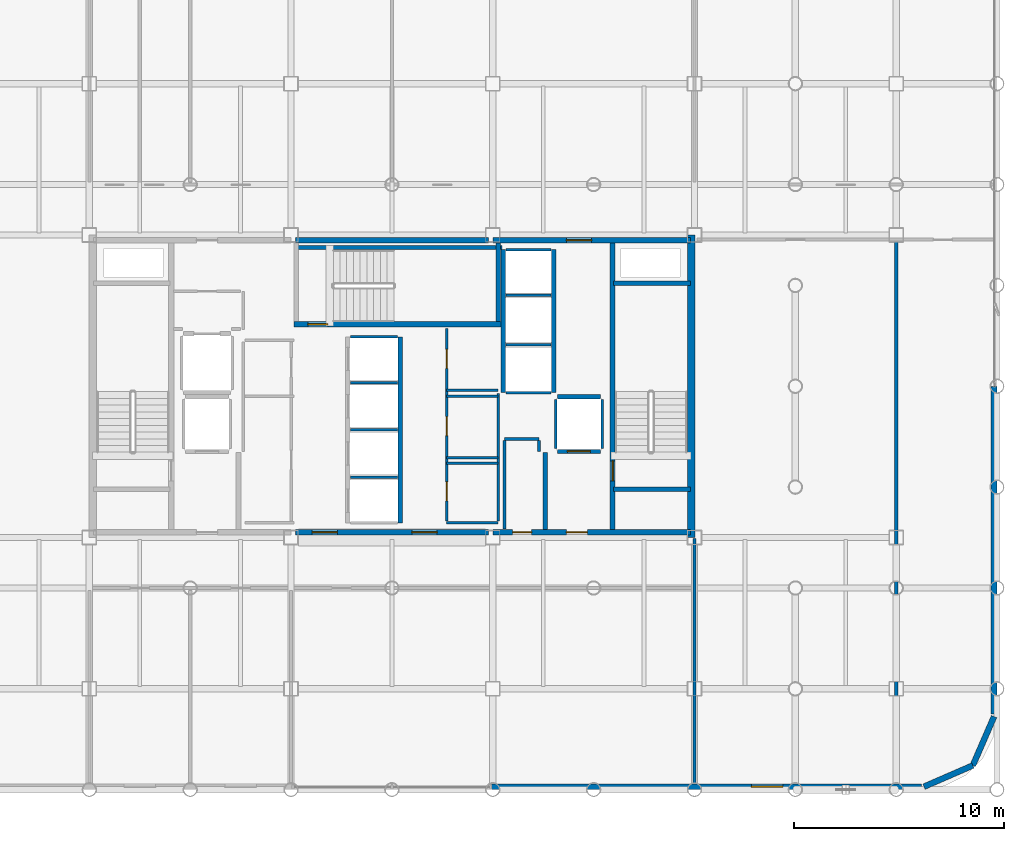
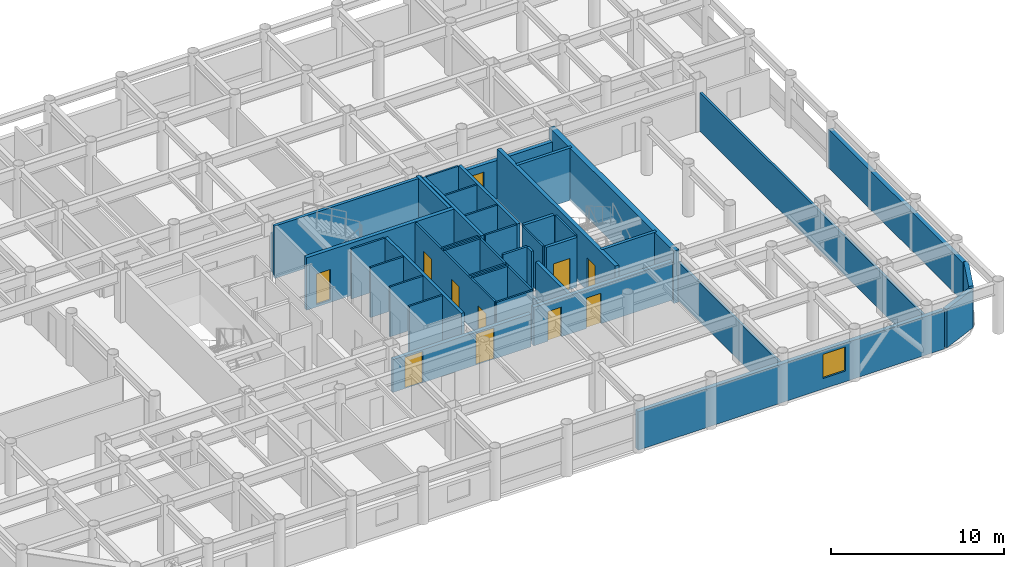
# One storey, part 17 of 19: 43 walls, 11 doors, 1 window, 12 openings.
"""IFC4 building model written with IfcOpenShell, lengths in metres."""

from ifc_helpers import new_model, si_unit, direction, frame, frame_2d, origin, place, context, subcontext, project, spatial, rectangle, extrude, material, layer, layer_set, type_object, element, fill, save


model = new_model("IFC4")

# Units and contexts
model_context = context("Model", 3, precision=1e-05, world=origin(), true_north=direction((0.0, 1.0)))
body_context = subcontext(model_context, "Body", "Model", "MODEL_VIEW")
ifc_project = project(units=[si_unit("LENGTHUNIT", "METRE"), si_unit("AREAUNIT", "SQUARE_METRE"), si_unit("VOLUMEUNIT", "CUBIC_METRE"), si_unit("PLANEANGLEUNIT", "RADIAN"), si_unit("MASSUNIT", "GRAM", prefix="KILO")], contexts=[model_context])

# Site, building, storey
site_placement = place(None, origin())
site = spatial("IfcSite", under=ifc_project, at=site_placement, CompositionType="ELEMENT")
building_placement = place(site_placement, origin())
building = spatial("IfcBuilding", under=site, at=building_placement, Name="Kallvorn Hotel Tower", CompositionType="ELEMENT")
storey_placement = place(building_placement, frame((0.0, 0.0, 147.0)))
storey = spatial("IfcBuildingStorey", under=building, at=storey_placement, Name="L36", CompositionType="ELEMENT", Elevation=147.0)

# Walls
ifc_material_1 = material(Name="Concrete C50/60", Category="concrete")
ifc_layer_1 = layer(ifc_material_1, 0.35009765625)
ifc_layer_set_1 = layer_set([ifc_layer_1], Name="WL_CORE_350")
wall_type_1 = type_object("IfcWallType", Name="WL_CORE_350", PredefinedType="SHEAR", material=ifc_layer_set_1)
wall_1_placement = place(storey_placement, frame((14.239990234375, -7.199951171875, -0.179931640625), z_axis=(0.0, 0.0, 1.0), x_axis=(0.0, 1.0, 0.0)))
element("IfcWall", 1, at=wall_1_placement, inside=storey, type_object=wall_type_1, Name="L36 Core East Shear Wall", PredefinedType="SHEAR", context=body_context, shape_type="SweptSolid", body=[
    extrude(rectangle(XDim=14.39990234375, YDim=0.35009765625, at=frame_2d((7.199951171875, 0.0))), origin(), (0.0, 0.0, 1.0), 3.699951171875),
])
ifc_material_2 = material(Name="Precast basalt-clad insulated concrete wall C40/50", Category="masonry")
ifc_layer_2 = layer(ifc_material_2, 0.280029296875)
ifc_layer_set_2 = layer_set([ifc_layer_2], Name="WL_EXT_LOGGIA_280")
wall_type_2 = type_object("IfcWallType", Name="WL_EXT_LOGGIA_280", PredefinedType="SOLIDWALL", material=ifc_layer_set_2)
wall_2_placement = place(storey_placement, frame((25.32080078125, -19.057861328125, 0.0), z_axis=(0.0, 0.0, 1.0), x_axis=(0.917060872934, 0.398747232384, 0.0)))
element("IfcWall", 2, at=wall_2_placement, inside=storey, type_object=wall_type_2, Name="L36 Rounded Corner Exterior Wall SE1", PredefinedType="SOLIDWALL", context=body_context, shape_type="SweptSolid", body=[
    extrude(rectangle(XDim=2.5361328125, YDim=0.280029296875, at=frame_2d((1.26806640625, 0.0))), origin(), (0.0, 0.0, 1.0), 2.719970703125),
])
wall_3_placement = place(storey_placement, frame((27.646484375, -18.046630859375, 0.0), z_axis=(0.0, 0.0, 1.0), x_axis=(0.398792985289, 0.917040977756, 0.0)))
element("IfcWall", 3, at=wall_3_placement, inside=storey, type_object=wall_type_2, Name="L36 Rounded Corner Exterior Wall SE2", PredefinedType="SOLIDWALL", context=body_context, shape_type="SweptSolid", body=[
    extrude(rectangle(XDim=2.536376953125, YDim=0.280029296875, at=frame_2d((1.26806640625, 0.0))), origin(), (0.0, 0.0, 1.0), 2.8701171875),
])

# Wall, opening, window
wall_4_placement = place(storey_placement, frame((4.75, -19.06005859375, 0.0), z_axis=(0.0, 0.0, 1.0), x_axis=(1.0, 0.0, 0.0)))
wall_4 = element("IfcWall", 4, at=wall_4_placement, inside=storey, type_object=wall_type_2, Name="L36 Exterior Envelope Wall EW-L36-SE", PredefinedType="SOLIDWALL", context=body_context, shape_type="SweptSolid", body=[
    extrude(rectangle(XDim=20.449951171875, YDim=0.280029296875, at=frame_2d((10.22509765625, 0.0))), origin(), (0.0, 0.0, 1.0), 2.719970703125),
])
opening_1_placement = place(wall_4_placement, frame((12.360107421875, 0.0, 0.75)))
opening_1 = element("IfcOpeningElement", 5, at=opening_1_placement, cuts=wall_4, Name="Opening W05", PredefinedType="OPENING", context=body_context, shape_type="SweptSolid", body=[
    extrude(rectangle(XDim=1.5, YDim=1.699951171875, at=frame_2d((0.75, 0.85009765625))), frame((0.0, 0.155029296875, 0.0), z_axis=(0.0, -1.0, 0.0), x_axis=(1.0, 0.0, 0.0)), (0.0, 0.0, 1.0), 0.31005859375),
])
ifc_material_3 = material(Name="Double-glazed low-e solar-control dark glass", Category="glass")
window_type = type_object("IfcWindowType", Name="WN_HTL_1500x1700", PartitioningType="SINGLE_PANEL", PredefinedType="WINDOW", material=ifc_material_3)
window_placement = place(opening_1_placement, origin())
window = element("IfcWindow", 6, at=window_placement, inside=storey, type_object=window_type, Name="L36 Guestroom Exterior Window 05", OverallHeight=1.699951171875, OverallWidth=1.5, PartitioningType="SINGLE_PANEL", PredefinedType="WINDOW", context=body_context, shape_type="SweptSolid", body=[
    extrude(rectangle(XDim=1.5, YDim=1.699951171875, at=frame_2d((0.75, 0.85009765625))), frame((0.0, 0.030029296875, 0.0), z_axis=(0.0, -1.0, 0.0), x_axis=(1.0, 0.0, 0.0)), (0.0, 0.0, 1.0), 0.06005859375),
])
fill(opening_1, window)

# Walls
wall_5_placement = place(storey_placement, frame((28.659912109375, -15.60009765625, 0.0), z_axis=(0.0, 0.0, 1.0), x_axis=(0.0, 1.0, 0.0)))
element("IfcWall", 7, at=wall_5_placement, inside=storey, type_object=wall_type_2, Name="L36 Exterior Envelope Wall EW-L36-ES", PredefinedType="SOLIDWALL", context=body_context, shape_type="SweptSolid", body=[
    extrude(rectangle(XDim=15.580078125, YDim=0.280029296875, at=frame_2d((7.7900390625, 0.0))), origin(), (0.0, 0.0, 1.0), 2.719970703125),
])
ifc_material_4 = material(Name="Concrete C40/50", Category="concrete")
ifc_layer_3 = layer(ifc_material_4, 0.219970703125)
ifc_layer_set_3 = layer_set([ifc_layer_3], Name="WL_FFL_220")
wall_type_3 = type_object("IfcWallType", Name="WL_FFL_220", PredefinedType="SOLIDWALL", material=ifc_layer_set_3)
wall_6_placement = place(storey_placement, frame((7.300048828125, -6.820068359375, 0.0), z_axis=(0.0, 0.0, 1.0), x_axis=(0.0, 1.0, 0.0)))
element("IfcWall", 8, at=wall_6_placement, inside=storey, type_object=wall_type_3, Name="L36 Firefighting Lobby East Divider Wall", PredefinedType="SOLIDWALL", context=body_context, shape_type="SweptSolid", body=[
    extrude(rectangle(XDim=3.670166015625, YDim=0.219970703125, at=frame_2d((1.8349609375, 0.0))), origin(), (0.0, 0.0, 1.0), 2.719970703125),
])
ifc_material_5 = material(Name="Concrete C40/50", Category="concrete")
ifc_layer_4 = layer(ifc_material_5, 0.199951171875)
ifc_layer_set_4 = layer_set([ifc_layer_4], Name="WL_HOIST_200")
wall_type_4 = type_object("IfcWallType", Name="WL_HOIST_200", PredefinedType="SOLIDWALL", material=ifc_layer_set_4)
for number, where, z_axis, x_axis, name in (
    (9, (10.550048828125, -4.89990234375, -0.179931640625), (0.0, 0.0, 1.0), (1.0, 0.0, 0.0), "L36 Stair ST2 South Wall"),
    (10, (10.550048828125, 4.89990234375, -0.179931640625), (0.0, 0.0, 1.0), (1.0, 0.0, 0.0), "L36 Stair ST2 North Wall"),
):
    element("IfcWall", number, at=place(storey_placement, frame(where, z_axis=z_axis, x_axis=x_axis)), inside=storey, type_object=wall_type_4, Name=name, PredefinedType="SOLIDWALL", context=body_context, shape_type="SweptSolid", body=[
        extrude(rectangle(XDim=3.64990234375, YDim=0.199951171875, at=frame_2d((1.824951171875, 0.0))), origin(), (0.0, 0.0, 1.0), 3.699951171875),
    ])
wall_7_placement = place(storey_placement, frame((-4.64990234375, 6.610107421875, -0.179931640625), z_axis=(0.0, 0.0, 1.0), x_axis=(1.0, 0.0, 0.0)))
element("IfcWall", 11, at=wall_7_placement, inside=storey, type_object=wall_type_4, Name="L36 Stair ST3 Shaft North Wall", PredefinedType="SOLIDWALL", context=body_context, shape_type="SweptSolid", body=[
    extrude(rectangle(XDim=9.89990234375, YDim=0.199951171875, at=frame_2d((4.949951171875, 0.0))), origin(), (0.0, 0.0, 1.0), 3.699951171875),
])
wall_8_placement = place(storey_placement, frame((5.06005859375, 3.080078125, -0.179931640625), z_axis=(0.0, 0.0, 1.0), x_axis=(0.0, 1.0, 0.0)))
element("IfcWall", 12, at=wall_8_placement, inside=storey, type_object=wall_type_4, Name="L36 Stair ST3 East Wall", PredefinedType="SOLIDWALL", context=body_context, shape_type="SweptSolid", body=[
    extrude(rectangle(XDim=3.739990234375, YDim=0.199951171875, at=frame_2d((1.8701171875, 0.0))), origin(), (0.0, 0.0, 1.0), 3.699951171875),
])
wall_9_placement = place(storey_placement, frame((0.39990234375, -6.5, 0.0), z_axis=(0.0, 0.0, 1.0), x_axis=(0.0, 1.0, 0.0)))
element("IfcWall", 13, at=wall_9_placement, inside=storey, type_object=wall_type_4, Name="L36 Lift Bank B2 Rear Shaft Wall", PredefinedType="SOLIDWALL", context=body_context, shape_type="SweptSolid", body=[
    extrude(rectangle(XDim=8.85009765625, YDim=0.199951171875, at=frame_2d((4.425048828125, 0.0))), origin(), (0.0, 0.0, 1.0), 3.52001953125),
])
for number, where, z_axis, x_axis, name in (
    (14, (7.699951171875, -0.300048828125, 0.0), (0.0, 0.0, 1.0), (0.0, 1.0, 0.0), "L36 Lift Bank OBS Landing Wall"),
    (15, (5.300048828125, -0.300048828125, 0.0), (0.0, 0.0, 1.0), (0.0, 1.0, 0.0), "L36 Lift Bank OBS Rear Shaft Wall"),
):
    element("IfcWall", number, at=place(storey_placement, frame(where, z_axis=z_axis, x_axis=x_axis)), inside=storey, type_object=wall_type_4, Name=name, PredefinedType="SOLIDWALL", context=body_context, shape_type="SweptSolid", body=[
        extrude(rectangle(XDim=6.800048828125, YDim=0.199951171875, at=frame_2d((3.39990234375, 0.0))), origin(), (0.0, 0.0, 1.0), 3.52001953125),
    ])

# Wall, opening, door
wall_10_placement = place(storey_placement, frame((7.8798828125, -3.10009765625, 0.0), z_axis=(0.0, 0.0, 1.0), x_axis=(1.0, 0.0, 0.0)))
wall_10 = element("IfcWall", 16, at=wall_10_placement, inside=storey, type_object=wall_type_4, Name="L36 FL-2 Landing Wall", PredefinedType="SOLIDWALL", context=body_context, shape_type="SweptSolid", body=[
    extrude(rectangle(XDim=2.0400390625, YDim=0.199951171875, at=frame_2d((1.02001953125, 0.0))), origin(), (0.0, 0.0, 1.0), 3.52001953125),
])
opening_2_placement = place(wall_10_placement, frame((0.469970703125, 0.0, 0.0)))
opening_2 = element("IfcOpeningElement", 17, at=opening_2_placement, cuts=wall_10, Name="Opening LD-FL-2", PredefinedType="OPENING", context=body_context, shape_type="SweptSolid", body=[
    extrude(rectangle(XDim=1.10009765625, YDim=2.199951171875, at=frame_2d((0.550048828125, 1.10009765625))), frame((0.0, 0.114990234375, 0.0), z_axis=(0.0, -1.0, 0.0), x_axis=(1.0, 0.0, 0.0)), (0.0, 0.0, 1.0), 0.22998046875),
])
ifc_material_6 = material(Name="Brushed stainless-steel automatic sliding lift landing door", Category="steel")
door_type_1 = type_object("IfcDoorType", Name="LD_PASS_1100x2200", OperationType="SLIDING_TO_LEFT", PredefinedType="DOOR", material=ifc_material_6)
door_1_placement = place(opening_2_placement, origin())
door_1 = element("IfcDoor", 18, at=door_1_placement, inside=storey, type_object=door_type_1, Name="L36 Lift Landing Sliding Door LD-FL-2", OperationType="SLIDING_TO_LEFT", OverallHeight=2.199951171875, OverallWidth=1.10009765625, PredefinedType="DOOR", context=body_context, shape_type="SweptSolid", body=[
    extrude(rectangle(XDim=1.10009765625, YDim=2.199951171875, at=frame_2d((0.550048828125, 1.10009765625))), frame((0.0, 0.02490234375, 0.0), z_axis=(0.0, -1.0, 0.0), x_axis=(1.0, 0.0, 0.0)), (0.0, 0.0, 1.0), 0.050048828125),
])
fill(opening_2, door_1)

# Walls
wall_11_placement = place(storey_placement, frame((7.8798828125, -0.5, 0.0), z_axis=(0.0, 0.0, 1.0), x_axis=(1.0, 0.0, 0.0)))
element("IfcWall", 19, at=wall_11_placement, inside=storey, type_object=wall_type_4, Name="L36 FL-2 Rear Shaft Wall", PredefinedType="SOLIDWALL", context=body_context, shape_type="SweptSolid", body=[
    extrude(rectangle(XDim=2.0400390625, YDim=0.199951171875, at=frame_2d((1.02001953125, 0.0))), origin(), (0.0, 0.0, 1.0), 3.52001953125),
])
ifc_material_7 = material(Name="Fire-rated double-layer acoustic gypsum drywall EI 60")
ifc_layer_5 = layer(ifc_material_7, 0.1201171875)
ifc_layer_set_5 = layer_set([ifc_layer_5], Name="WL_INT_120")
wall_type_5 = type_object("IfcWallType", Name="WL_INT_120", PredefinedType="PARTITIONING", material=ifc_layer_set_5)
for number, where, z_axis, x_axis, name in (
    (20, (-1.9599609375, -4.324951171875, 0.0), (0.0, 0.0, 1.0), (1.0, 0.0, 0.0), "L36 PL-05 Hoistway Divider"),
    (21, (-1.9599609375, -2.074951171875, 0.0), (0.0, 0.0, 1.0), (1.0, 0.0, 0.0), "L36 PL-06 Hoistway Divider"),
    (22, (-1.9599609375, 0.175048828125, 0.0), (0.0, 0.0, 1.0), (1.0, 0.0, 0.0), "L36 PL-07 Hoistway Divider"),
    (23, (-1.9599609375, 2.35009765625, 0.0), (0.0, 0.0, 1.0), (1.0, 0.0, 0.0), "L36 PL-08 Hoistway Divider"),
):
    element("IfcWall", number, at=place(storey_placement, frame(where, z_axis=z_axis, x_axis=x_axis)), inside=storey, type_object=wall_type_5, Name=name, PredefinedType="PARTITIONING", context=body_context, shape_type="SweptSolid", body=[
        extrude(rectangle(XDim=2.219970703125, YDim=0.1201171875, at=frame_2d((1.10986328125, 0.0))), origin(), (0.0, 0.0, 1.0), 3.52001953125),
    ])
for number, where, z_axis, x_axis, name in (
    (24, (5.43994140625, -0.300048828125, 0.0), (0.0, 0.0, 1.0), (1.0, 0.0, 0.0), "L36 Lift Bank OBS South Closure Wall"),
    (25, (5.43994140625, 1.97509765625, 0.0), (0.0, 0.0, 1.0), (1.0, 0.0, 0.0), "L36 OB-01 Hoistway Divider"),
    (26, (5.43994140625, 4.324951171875, 0.0), (0.0, 0.0, 1.0), (1.0, 0.0, 0.0), "L36 OB-02 Hoistway Divider"),
    (27, (5.43994140625, 6.5, 0.0), (0.0, 0.0, 1.0), (1.0, 0.0, 0.0), "L36 OB-03 Hoistway Divider"),
):
    element("IfcWall", number, at=place(storey_placement, frame(where, z_axis=z_axis, x_axis=x_axis)), inside=storey, type_object=wall_type_5, Name=name, PredefinedType="PARTITIONING", context=body_context, shape_type="SweptSolid", body=[
        extrude(rectangle(XDim=2.1201171875, YDim=0.1201171875, at=frame_2d((1.06005859375, 0.0))), origin(), (0.0, 0.0, 1.0), 3.52001953125),
    ])
for number, where, z_axis, x_axis, name in (
    (28, (7.800048828125, -2.9599609375, 0.0), (0.0, 0.0, 1.0), (0.0, 1.0, 0.0), "L36 FL-2 West Shaft Wall"),
    (29, (10.0, -2.9599609375, 0.0), (0.0, 0.0, 1.0), (0.0, 1.0, 0.0), "L36 FL-2 East Shaft Wall"),
):
    element("IfcWall", number, at=place(storey_placement, frame(where, z_axis=z_axis, x_axis=x_axis)), inside=storey, type_object=wall_type_5, Name=name, PredefinedType="PARTITIONING", context=body_context, shape_type="SweptSolid", body=[
        extrude(rectangle(XDim=2.320068359375, YDim=0.1201171875, at=frame_2d((1.16015625, 0.0))), origin(), (0.0, 0.0, 1.0), 3.52001953125),
    ])
for number, where, z_axis, x_axis, name in (
    (30, (2.60009765625, -6.5, 0.0), (0.0, 0.0, 1.0), (1.0, 0.0, 0.0), "L36 East Core Minibar Store Partition"),
    (31, (2.60009765625, -3.659912109375, 0.0), (0.0, 0.0, 1.0), (1.0, 0.0, 0.0), "L36 East Core Minibar Store Partition"),
    (32, (2.60009765625, -3.39990234375, 0.0), (0.0, 0.0, 1.0), (1.0, 0.0, 0.0), "L36 East Core Housekeeping Supply Closet Partition"),
    (33, (2.60009765625, -0.466796875, 0.0), (0.0, 0.0, 1.0), (1.0, 0.0, 0.0), "L36 East Core Housekeeping Supply Closet Partition"),
    (34, (2.60009765625, -0.199951171875, 0.0), (0.0, 0.0, 1.0), (1.0, 0.0, 0.0), "L36 East Core Cleaners Room Partition"),
):
    element("IfcWall", number, at=place(storey_placement, frame(where, z_axis=z_axis, x_axis=x_axis)), inside=storey, type_object=wall_type_5, Name=name, PredefinedType="PARTITIONING", context=body_context, shape_type="SweptSolid", body=[
        extrude(rectangle(XDim=2.449951171875, YDim=0.1201171875, at=frame_2d((1.22509765625, 0.0))), origin(), (0.0, 0.0, 1.0), 3.52001953125),
    ])

# Wall, openings, doors
wall_12_placement = place(storey_placement, frame((2.60009765625, -6.4150390625, 0.0), z_axis=(0.0, 0.0, 1.0), x_axis=(0.0, 1.0, 0.0)))
wall_12 = element("IfcWall", 35, at=wall_12_placement, inside=storey, type_object=wall_type_5, Name="L36 East Core Minibar Store Partition", PredefinedType="PARTITIONING", context=body_context, shape_type="SweptSolid", body=[
    extrude(rectangle(XDim=9.1650390625, YDim=0.1201171875, at=frame_2d((4.58251953125, 0.0))), origin(), (0.0, 0.0, 1.0), 3.52001953125),
])
opening_3_placement = place(wall_12_placement, frame((0.965087890625, 0.0, 0.0)))
opening_3 = element("IfcOpeningElement", 36, at=opening_3_placement, cuts=wall_12, Name="Opening SVD1", PredefinedType="OPENING", context=body_context, shape_type="SweptSolid", body=[
    extrude(rectangle(XDim=0.89990234375, YDim=2.10009765625, at=frame_2d((0.449951171875, 1.050048828125))), frame((0.0, 0.074951171875, 0.0), z_axis=(0.0, -1.0, 0.0), x_axis=(1.0, 0.0, 0.0)), (0.0, 0.0, 1.0), 0.150146484375),
])
opening_4_placement = place(wall_12_placement, frame((4.06494140625, 0.0, 0.0)))
opening_4 = element("IfcOpeningElement", 37, at=opening_4_placement, cuts=wall_12, Name="Opening SVD1", PredefinedType="OPENING", context=body_context, shape_type="SweptSolid", body=[
    extrude(rectangle(XDim=0.89990234375, YDim=2.10009765625, at=frame_2d((0.449951171875, 1.050048828125))), frame((0.0, 0.074951171875, 0.0), z_axis=(0.0, -1.0, 0.0), x_axis=(1.0, 0.0, 0.0)), (0.0, 0.0, 1.0), 0.150146484375),
])
opening_5_placement = place(wall_12_placement, frame((7.264892578125, 0.0, 0.0)))
opening_5 = element("IfcOpeningElement", 38, at=opening_5_placement, cuts=wall_12, Name="Opening SVD1", PredefinedType="OPENING", context=body_context, shape_type="SweptSolid", body=[
    extrude(rectangle(XDim=0.89990234375, YDim=2.10009765625, at=frame_2d((0.449951171875, 1.050048828125))), frame((0.0, 0.074951171875, 0.0), z_axis=(0.0, -1.0, 0.0), x_axis=(1.0, 0.0, 0.0)), (0.0, 0.0, 1.0), 0.150146484375),
])
ifc_material_8 = material(Name="Galvanised painted steel fire-rated door assembly", Category="steel")
door_type_2 = type_object("IfcDoorType", Name="DR_SERV_900x2100", OperationType="NOTDEFINED", PredefinedType="DOOR", material=ifc_material_8)
door_2_placement = place(opening_3_placement, origin())
door_2 = element("IfcDoor", 39, at=door_2_placement, inside=storey, type_object=door_type_2, Name="L36 East Core Minibar Store Door", OperationType="SINGLE_SWING_LEFT", OverallHeight=2.10009765625, OverallWidth=0.89990234375, PredefinedType="DOOR", context=body_context, shape_type="SweptSolid", body=[
    extrude(rectangle(XDim=0.89990234375, YDim=2.10009765625, at=frame_2d((0.449951171875, 1.050048828125))), frame((0.0, 0.02490234375, 0.0), z_axis=(0.0, -1.0, 0.0), x_axis=(1.0, 0.0, 0.0)), (0.0, 0.0, 1.0), 0.050048828125),
])
fill(opening_3, door_2)
door_3_placement = place(opening_4_placement, origin())
door_3 = element("IfcDoor", 40, at=door_3_placement, inside=storey, type_object=door_type_2, Name="L36 East Core Housekeeping Supply Closet Door", OperationType="SINGLE_SWING_LEFT", OverallHeight=2.10009765625, OverallWidth=0.89990234375, PredefinedType="DOOR", context=body_context, shape_type="SweptSolid", body=[
    extrude(rectangle(XDim=0.89990234375, YDim=2.10009765625, at=frame_2d((0.449951171875, 1.050048828125))), frame((0.0, 0.02490234375, 0.0), z_axis=(0.0, -1.0, 0.0), x_axis=(1.0, 0.0, 0.0)), (0.0, 0.0, 1.0), 0.050048828125),
])
fill(opening_4, door_3)
door_4_placement = place(opening_5_placement, origin())
door_4 = element("IfcDoor", 41, at=door_4_placement, inside=storey, type_object=door_type_2, Name="L36 East Core Cleaners Room Door", OperationType="SINGLE_SWING_LEFT", OverallHeight=2.10009765625, OverallWidth=0.89990234375, PredefinedType="DOOR", context=body_context, shape_type="SweptSolid", body=[
    extrude(rectangle(XDim=0.89990234375, YDim=2.10009765625, at=frame_2d((0.449951171875, 1.050048828125))), frame((0.0, 0.02490234375, 0.0), z_axis=(0.0, -1.0, 0.0), x_axis=(1.0, 0.0, 0.0)), (0.0, 0.0, 1.0), 0.050048828125),
])
fill(opening_5, door_4)

# Walls
wall_13_placement = place(storey_placement, frame((5.050048828125, -6.4150390625, 0.0), z_axis=(0.0, 0.0, 1.0), x_axis=(0.0, 1.0, 0.0)))
element("IfcWall", 42, at=wall_13_placement, inside=storey, type_object=wall_type_5, Name="L36 East Core Minibar Store Partition", PredefinedType="PARTITIONING", context=body_context, shape_type="SweptSolid", body=[
    extrude(rectangle(XDim=6.074951171875, YDim=0.1201171875, at=frame_2d((3.03759765625, 0.0))), origin(), (0.0, 0.0, 1.0), 3.52001953125),
])
ifc_material_9 = material(Name="Fire-rated double-layer acoustic gypsum drywall EI 60")
ifc_layer_6 = layer(ifc_material_9, 0.14990234375)
ifc_layer_set_6 = layer_set([ifc_layer_6], Name="WL_PART_150")
wall_type_6 = type_object("IfcWallType", Name="WL_PART_150", PredefinedType="PARTITIONING", material=ifc_layer_set_6)
wall_14_placement = place(storey_placement, frame((14.39990234375, -18.909912109375, 0.0), z_axis=(0.0, 0.0, 1.0), x_axis=(0.0, 1.0, 0.0)))
element("IfcWall", 43, at=wall_14_placement, inside=storey, type_object=wall_type_6, Name="L36 L36 Restaurant Culinary Catering Kitchen 2 Partition", PredefinedType="PARTITIONING", context=body_context, shape_type="SweptSolid", body=[
    extrude(rectangle(XDim=11.669921875, YDim=0.14990234375, at=frame_2d((5.8349609375, 0.0))), origin(), (0.0, 0.0, 1.0), 2.719970703125),
])
wall_15_placement = place(storey_placement, frame((24.0, -18.909912109375, 0.0), z_axis=(0.0, 0.0, 1.0), x_axis=(0.0, 1.0, 0.0)))
element("IfcWall", 44, at=wall_15_placement, inside=storey, type_object=wall_type_6, Name="L36 L36 Far-East Design Boutique Partition", PredefinedType="PARTITIONING", context=body_context, shape_type="SweptSolid", body=[
    extrude(rectangle(XDim=25.804931640625, YDim=0.14990234375, at=frame_2d((12.90234375, 0.0))), origin(), (0.0, 0.0, 1.0), 2.719970703125),
])
ifc_material_10 = material(Name="Moisture-resistant acoustic plumbing chase wall EI 60")
ifc_layer_7 = layer(ifc_material_10, 0.139892578125)
ifc_layer_set_7 = layer_set([ifc_layer_7], Name="WL_PLUMB_140")
wall_type_7 = type_object("IfcWallType", Name="WL_PLUMB_140", PredefinedType="PLUMBINGWALL", material=ifc_layer_set_7)
wall_16_placement = place(storey_placement, frame((5.35009765625, -2.5, 0.0), z_axis=(0.0, 0.0, 1.0), x_axis=(1.0, 0.0, 0.0)))
element("IfcWall", 45, at=wall_16_placement, inside=storey, type_object=wall_type_7, Name="L36 Core Accessible Staff WC Partition", PredefinedType="PLUMBINGWALL", context=body_context, shape_type="SweptSolid", body=[
    extrude(rectangle(XDim=1.64990234375, YDim=0.139892578125, at=frame_2d((0.824951171875, 0.0))), origin(), (0.0, 0.0, 1.0), 3.52001953125),
])
wall_17_placement = place(storey_placement, frame((5.35009765625, -6.800048828125, 0.0), z_axis=(0.0, 0.0, 1.0), x_axis=(0.0, 1.0, 0.0)))
element("IfcWall", 46, at=wall_17_placement, inside=storey, type_object=wall_type_7, Name="L36 Core Accessible Staff WC Partition", PredefinedType="PLUMBINGWALL", context=body_context, shape_type="SweptSolid", body=[
    extrude(rectangle(XDim=4.215087890625, YDim=0.139892578125, at=frame_2d((2.107421875, 0.0))), origin(), (0.0, 0.0, 1.0), 2.719970703125),
])
wall_18_placement = place(storey_placement, frame((7.0, -3.110107421875, 0.0), z_axis=(0.0, 0.0, 1.0), x_axis=(0.0, 1.0, 0.0)))
element("IfcWall", 47, at=wall_18_placement, inside=storey, type_object=wall_type_7, Name="L36 Core Accessible Staff WC Partition", PredefinedType="PLUMBINGWALL", context=body_context, shape_type="SweptSolid", body=[
    extrude(rectangle(XDim=0.525146484375, YDim=0.139892578125, at=frame_2d((0.2626953125, 0.0))), origin(), (0.0, 0.0, 1.0), 3.52001953125),
])

# Wall, openings, doors
ifc_material_11 = material(Name="Concrete C40/50", Category="concrete")
ifc_layer_8 = layer(ifc_material_11, 0.25)
ifc_layer_set_8 = layer_set([ifc_layer_8], Name="WL_SHAFT_250")
wall_type_8 = type_object("IfcWallType", Name="WL_SHAFT_250", PredefinedType="SOLIDWALL", material=ifc_layer_set_8)
wall_19_placement = place(storey_placement, frame((-4.60009765625, -6.949951171875, 0.0), z_axis=(0.0, 0.0, 1.0), x_axis=(1.0, 0.0, 0.0)))
wall_19 = element("IfcWall", 48, at=wall_19_placement, inside=storey, type_object=wall_type_8, Name="L36 Core South-Central Wall", PredefinedType="SOLIDWALL", context=body_context, shape_type="SweptSolid", body=[
    extrude(rectangle(XDim=9.2001953125, YDim=0.25, at=frame_2d((4.60009765625, 0.0))), origin(), (0.0, 0.0, 1.0), 2.320068359375),
])
opening_6_placement = place(wall_19_placement, frame((0.800048828125, 0.0, 0.0)))
opening_6 = element("IfcOpeningElement", 49, at=opening_6_placement, cuts=wall_19, Name="Opening FD2", PredefinedType="OPENING", context=body_context, shape_type="SweptSolid", body=[
    extrude(rectangle(XDim=1.199951171875, YDim=2.199951171875, at=frame_2d((0.60009765625, 1.10009765625))), frame((0.0, 0.139892578125, 0.0), z_axis=(0.0, -1.0, 0.0), x_axis=(1.0, 0.0, 0.0)), (0.0, 0.0, 1.0), 0.280029296875),
])
opening_7_placement = place(wall_19_placement, frame((5.550048828125, 0.0, 0.0)))
opening_7 = element("IfcOpeningElement", 50, at=opening_7_placement, cuts=wall_19, Name="Opening FD2", PredefinedType="OPENING", context=body_context, shape_type="SweptSolid", body=[
    extrude(rectangle(XDim=1.199951171875, YDim=2.199951171875, at=frame_2d((0.60009765625, 1.10009765625))), frame((0.0, 0.139892578125, 0.0), z_axis=(0.0, -1.0, 0.0), x_axis=(1.0, 0.0, 0.0)), (0.0, 0.0, 1.0), 0.280029296875),
])
ifc_material_12 = material(Name="Galvanised painted steel fire-rated door assembly", Category="steel")
door_type_3 = type_object("IfcDoorType", Name="DR_LOBBY_1200x2200", OperationType="DOUBLE_DOOR_SINGLE_SWING", PredefinedType="DOOR", material=ifc_material_12)
door_5_placement = place(opening_6_placement, origin())
door_5 = element("IfcDoor", 51, at=door_5_placement, inside=storey, type_object=door_type_3, Name="L36 West Passenger Lift Lobby Door", OperationType="DOUBLE_DOOR_SINGLE_SWING", OverallHeight=2.199951171875, OverallWidth=1.199951171875, PredefinedType="DOOR", context=body_context, shape_type="SweptSolid", body=[
    extrude(rectangle(XDim=1.199951171875, YDim=2.199951171875, at=frame_2d((0.60009765625, 1.10009765625))), frame((0.0, 0.02490234375, 0.0), z_axis=(0.0, -1.0, 0.0), x_axis=(1.0, 0.0, 0.0)), (0.0, 0.0, 1.0), 0.050048828125),
])
fill(opening_6, door_5)
door_6_placement = place(opening_7_placement, origin())
door_6 = element("IfcDoor", 52, at=door_6_placement, inside=storey, type_object=door_type_3, Name="L36 East Passenger Lift Lobby Door", OperationType="DOUBLE_DOOR_SINGLE_SWING", OverallHeight=2.199951171875, OverallWidth=1.199951171875, PredefinedType="DOOR", context=body_context, shape_type="SweptSolid", body=[
    extrude(rectangle(XDim=1.199951171875, YDim=2.199951171875, at=frame_2d((0.60009765625, 1.10009765625))), frame((0.0, 0.02490234375, 0.0), z_axis=(0.0, -1.0, 0.0), x_axis=(1.0, 0.0, 0.0)), (0.0, 0.0, 1.0), 0.050048828125),
])
fill(opening_7, door_6)

wall_20_placement = place(storey_placement, frame((4.800048828125, -6.949951171875, 0.0), z_axis=(0.0, 0.0, 1.0), x_axis=(1.0, 0.0, 0.0)))
wall_20 = element("IfcWall", 53, at=wall_20_placement, inside=storey, type_object=wall_type_8, Name="L36 Core South-East Wall", PredefinedType="SOLIDWALL", context=body_context, shape_type="SweptSolid", body=[
    extrude(rectangle(XDim=9.39990234375, YDim=0.25, at=frame_2d((4.699951171875, 0.0))), origin(), (0.0, 0.0, 1.0), 2.719970703125),
])
opening_8_placement = place(wall_20_placement, frame((3.5, 0.0, 0.0)))
opening_8 = element("IfcOpeningElement", 54, at=opening_8_placement, cuts=wall_20, Name="Opening FD1", PredefinedType="OPENING", context=body_context, shape_type="SweptSolid", body=[
    extrude(rectangle(XDim=1.0, YDim=2.14990234375, at=frame_2d((0.5, 1.074951171875))), frame((0.0, 0.139892578125, 0.0), z_axis=(0.0, -1.0, 0.0), x_axis=(1.0, 0.0, 0.0)), (0.0, 0.0, 1.0), 0.280029296875),
])
opening_9_placement = place(wall_20_placement, frame((0.949951171875, 0.0, 0.0)))
opening_9 = element("IfcOpeningElement", 55, at=opening_9_placement, cuts=wall_20, Name="Opening SVD1", PredefinedType="OPENING", context=body_context, shape_type="SweptSolid", body=[
    extrude(rectangle(XDim=0.89990234375, YDim=2.10009765625, at=frame_2d((0.449951171875, 1.050048828125))), frame((0.0, 0.139892578125, 0.0), z_axis=(0.0, -1.0, 0.0), x_axis=(1.0, 0.0, 0.0)), (0.0, 0.0, 1.0), 0.280029296875),
])
ifc_material_13 = material(Name="Galvanised painted steel fire-rated door assembly", Category="steel")
door_type_4 = type_object("IfcDoorType", Name="DR_FFL_1000x2150", OperationType="NOTDEFINED", PredefinedType="DOOR", material=ifc_material_13)
door_7_placement = place(opening_8_placement, origin())
door_7 = element("IfcDoor", 56, at=door_7_placement, inside=storey, type_object=door_type_4, Name="L36 Firefighting Lobby East Door", OperationType="SINGLE_SWING_RIGHT", OverallHeight=2.14990234375, OverallWidth=1.0, PredefinedType="DOOR", context=body_context, shape_type="SweptSolid", body=[
    extrude(rectangle(XDim=1.0, YDim=2.14990234375, at=frame_2d((0.5, 1.074951171875))), frame((0.0, 0.02490234375, 0.0), z_axis=(0.0, -1.0, 0.0), x_axis=(1.0, 0.0, 0.0)), (0.0, 0.0, 1.0), 0.050048828125),
])
fill(opening_8, door_7)
door_8_placement = place(opening_9_placement, origin())
door_8 = element("IfcDoor", 57, at=door_8_placement, inside=storey, type_object=door_type_2, Name="L36 Core Accessible Staff WC Door", OperationType="SINGLE_SWING_RIGHT", OverallHeight=2.10009765625, OverallWidth=0.89990234375, PredefinedType="DOOR", context=body_context, shape_type="SweptSolid", body=[
    extrude(rectangle(XDim=0.89990234375, YDim=2.10009765625, at=frame_2d((0.449951171875, 1.050048828125))), frame((0.0, 0.02490234375, 0.0), z_axis=(0.0, -1.0, 0.0), x_axis=(1.0, 0.0, 0.0)), (0.0, 0.0, 1.0), 0.050048828125),
])
fill(opening_9, door_8)

# Wall
wall_21_placement = place(storey_placement, frame((-4.60009765625, 6.949951171875, 0.0), z_axis=(0.0, 0.0, 1.0), x_axis=(1.0, 0.0, 0.0)))
element("IfcWall", 58, at=wall_21_placement, inside=storey, type_object=wall_type_8, Name="L36 Core North-Central Wall", PredefinedType="SOLIDWALL", context=body_context, shape_type="SweptSolid", body=[
    extrude(rectangle(XDim=9.2001953125, YDim=0.25, at=frame_2d((4.60009765625, 0.0))), origin(), (0.0, 0.0, 1.0), 2.719970703125),
])

# Wall, opening, door
wall_22_placement = place(storey_placement, frame((4.800048828125, 6.949951171875, 0.0), z_axis=(0.0, 0.0, 1.0), x_axis=(1.0, 0.0, 0.0)))
wall_22 = element("IfcWall", 59, at=wall_22_placement, inside=storey, type_object=wall_type_8, Name="L36 Core North-East Wall", PredefinedType="SOLIDWALL", context=body_context, shape_type="SweptSolid", body=[
    extrude(rectangle(XDim=9.39990234375, YDim=0.25, at=frame_2d((4.699951171875, 0.0))), origin(), (0.0, 0.0, 1.0), 2.719970703125),
])
opening_10_placement = place(wall_22_placement, frame((3.5, 0.0, 0.0)))
opening_10 = element("IfcOpeningElement", 60, at=opening_10_placement, cuts=wall_22, Name="Opening FD2", PredefinedType="OPENING", context=body_context, shape_type="SweptSolid", body=[
    extrude(rectangle(XDim=1.199951171875, YDim=2.199951171875, at=frame_2d((0.60009765625, 1.10009765625))), frame((0.0, 0.139892578125, 0.0), z_axis=(0.0, -1.0, 0.0), x_axis=(1.0, 0.0, 0.0)), (0.0, 0.0, 1.0), 0.280029296875),
])
door_9_placement = place(opening_10_placement, origin())
door_9 = element("IfcDoor", 61, at=door_9_placement, inside=storey, type_object=door_type_3, Name="L36 Observatory Shuttle Lobby Door", OperationType="DOUBLE_DOOR_SINGLE_SWING", OverallHeight=2.199951171875, OverallWidth=1.199951171875, PredefinedType="DOOR", context=body_context, shape_type="SweptSolid", body=[
    extrude(rectangle(XDim=1.199951171875, YDim=2.199951171875, at=frame_2d((0.60009765625, 1.10009765625))), frame((0.0, 0.02490234375, 0.0), z_axis=(0.0, -1.0, 0.0), x_axis=(1.0, 0.0, 0.0)), (0.0, 0.0, 1.0), 0.050048828125),
])
fill(opening_10, door_9)

wall_23_placement = place(storey_placement, frame((10.5, -6.820068359375, -0.179931640625), z_axis=(0.0, 0.0, 1.0), x_axis=(0.0, 1.0, 0.0)))
wall_23 = element("IfcWall", 62, at=wall_23_placement, inside=storey, type_object=wall_type_8, Name="L36 Stair ST2 Shaft Wall", PredefinedType="SOLIDWALL", context=body_context, shape_type="SweptSolid", body=[
    extrude(rectangle(XDim=13.64013671875, YDim=0.25, at=frame_2d((6.820068359375, 0.0))), origin(), (0.0, 0.0, 1.0), 3.699951171875),
])
opening_11_placement = place(wall_23_placement, frame((2.320068359375, 0.0, 0.179931640625)))
opening_11 = element("IfcOpeningElement", 63, at=opening_11_placement, cuts=wall_23, Name="Opening SD1", PredefinedType="OPENING", context=body_context, shape_type="SweptSolid", body=[
    extrude(rectangle(XDim=0.949951171875, YDim=2.14990234375, at=frame_2d((0.47509765625, 1.074951171875))), frame((0.0, 0.139892578125, 0.0), z_axis=(0.0, -1.0, 0.0), x_axis=(1.0, 0.0, 0.0)), (0.0, 0.0, 1.0), 0.280029296875),
])
ifc_material_14 = material(Name="Galvanised painted steel fire-rated door assembly", Category="steel")
door_type_5 = type_object("IfcDoorType", Name="DR_STAIR_950x2150", OperationType="NOTDEFINED", PredefinedType="DOOR", material=ifc_material_14)
door_10_placement = place(opening_11_placement, origin())
door_10 = element("IfcDoor", 64, at=door_10_placement, inside=storey, type_object=door_type_5, Name="L36 Exit Stair ST2 Fire Door", OperationType="SINGLE_SWING_LEFT", OverallHeight=2.14990234375, OverallWidth=0.949951171875, PredefinedType="DOOR", context=body_context, shape_type="SweptSolid", body=[
    extrude(rectangle(XDim=0.949951171875, YDim=2.14990234375, at=frame_2d((0.47509765625, 1.074951171875))), frame((0.0, 0.02490234375, 0.0), z_axis=(0.0, -1.0, 0.0), x_axis=(1.0, 0.0, 0.0)), (0.0, 0.0, 1.0), 0.050048828125),
])
fill(opening_11, door_10)

wall_24_placement = place(storey_placement, frame((-4.64990234375, 2.949951171875, -0.179931640625), z_axis=(0.0, 0.0, 1.0), x_axis=(1.0, 0.0, 0.0)))
wall_24 = element("IfcWall", 65, at=wall_24_placement, inside=storey, type_object=wall_type_8, Name="L36 Stair ST3 Shaft South Wall", PredefinedType="SOLIDWALL", context=body_context, shape_type="SweptSolid", body=[
    extrude(rectangle(XDim=9.89990234375, YDim=0.25, at=frame_2d((4.949951171875, 0.0))), origin(), (0.0, 0.0, 1.0), 3.699951171875),
])
opening_12_placement = place(wall_24_placement, frame((0.64990234375, 0.0, 0.179931640625)))
opening_12 = element("IfcOpeningElement", 66, at=opening_12_placement, cuts=wall_24, Name="Opening SD1", PredefinedType="OPENING", context=body_context, shape_type="SweptSolid", body=[
    extrude(rectangle(XDim=0.949951171875, YDim=2.14990234375, at=frame_2d((0.47509765625, 1.074951171875))), frame((0.0, 0.139892578125, 0.0), z_axis=(0.0, -1.0, 0.0), x_axis=(1.0, 0.0, 0.0)), (0.0, 0.0, 1.0), 0.280029296875),
])
door_11_placement = place(opening_12_placement, origin())
door_11 = element("IfcDoor", 67, at=door_11_placement, inside=storey, type_object=door_type_5, Name="L36 Exit Stair ST3 Fire Door", OperationType="SINGLE_SWING_RIGHT", OverallHeight=2.14990234375, OverallWidth=0.949951171875, PredefinedType="DOOR", context=body_context, shape_type="SweptSolid", body=[
    extrude(rectangle(XDim=0.949951171875, YDim=2.14990234375, at=frame_2d((0.47509765625, 1.074951171875))), frame((0.0, 0.02490234375, 0.0), z_axis=(0.0, -1.0, 0.0), x_axis=(1.0, 0.0, 0.0)), (0.0, 0.0, 1.0), 0.050048828125),
])
fill(opening_12, door_11)

save(model, "model.ifc")
